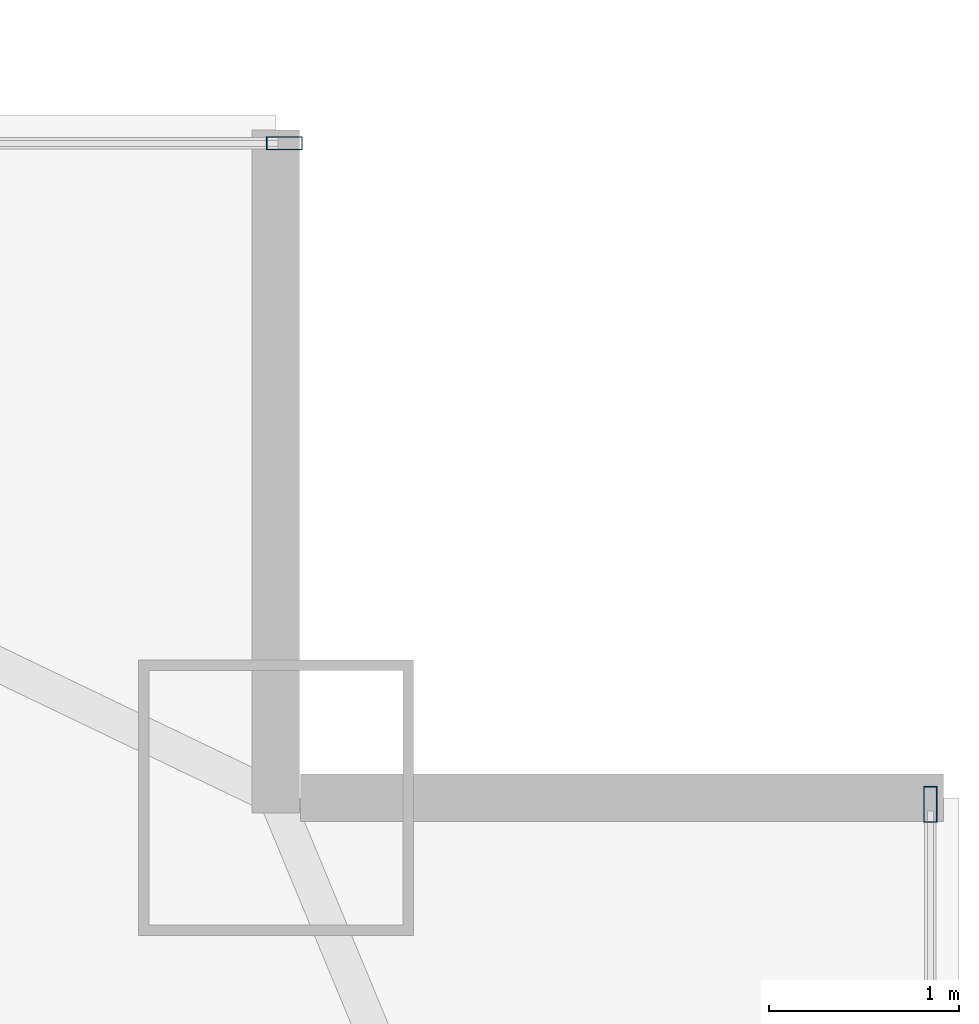
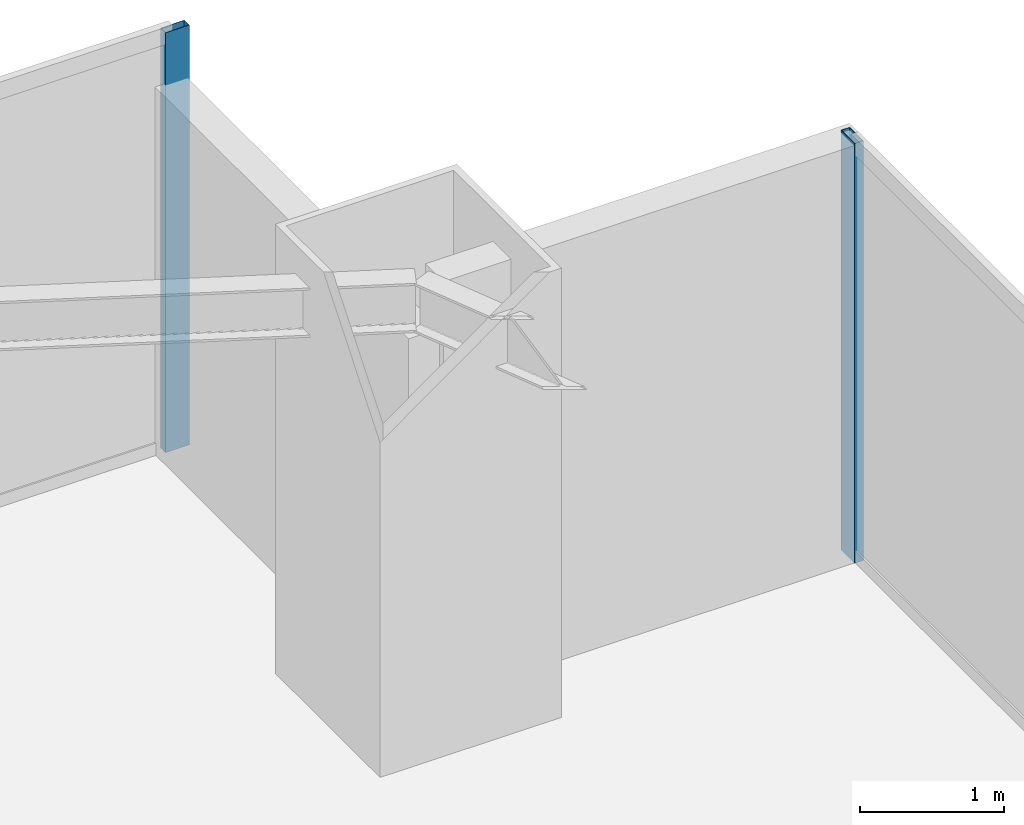
# One storey, part 26 of 34: 2 members, 2 elements without a shape of their own.
"""IFC4 building model written with IfcOpenShell, lengths in metres."""

import ifcopenshell
import ifcopenshell.guid

model = None  # the IFC model being written
_history = None  # IfcOwnerHistory: only IFC2X3 demands one
_inside = {}  # id of a spatial element -> (the spatial element, [elements in it])
_under = {}  # id of a project, library or spatial element -> (it, [spatial elements below it])
_declared = {}  # id of a project -> (the project, [libraries it declares])
_typed = {}  # id of a type object -> (the type object, [elements of that type])
_made_of = {}  # id of a material, layer set ... -> (it, [elements and type objects made of it])


def new_model(schema):
    """Start an empty IFC model of exactly this schema.

    Asked for "IFC4X3", IfcOpenShell would pick the latest addendum, in which some entities
    have other attributes; the version numbers below select the first issue.
    IFC2X3 requires an IfcOwnerHistory on every rooted entity: one is made here for all.
    """
    global model, _history
    if schema == "IFC4X3":
        model = ifcopenshell.file(schema_version=(4, 3, 0, 0))
    else:
        model = ifcopenshell.file(schema=schema)
    _inside.clear()
    _under.clear()
    _declared.clear()
    _typed.clear()
    _made_of.clear()
    _history = None
    if model.schema == "IFC2X3":
        org = make("IfcOrganization", Name="unknown")
        user = make(
            "IfcPersonAndOrganization",
            ThePerson=make("IfcPerson", FamilyName="unknown"),
            TheOrganization=org,
        )
        app = make(
            "IfcApplication",
            ApplicationDeveloper=org,
            Version="unknown",
            ApplicationFullName="unknown",
            ApplicationIdentifier="unknown",
        )
        _history = make(
            "IfcOwnerHistory",
            OwningUser=user,
            OwningApplication=app,
            ChangeAction="ADDED",
            CreationDate=0,
        )
    return model


def make(cls, **values):
    """One entity of the class cls with the attributes given. An attribute that is None is left unset."""
    return model.create_entity(
        cls, **{name: value for name, value in values.items() if value is not None}
    )


def rooted(cls, **values):
    """An entity with a GlobalId (a new one), such as an element, a storey or a relation."""
    return make(cls, GlobalId=ifcopenshell.guid.new(), OwnerHistory=_history, **values)


def si_unit(unit_type, name, prefix=None):
    """IfcSIUnit, for example si_unit("LENGTHUNIT", "METRE", prefix="MILLI")."""
    return make("IfcSIUnit", UnitType=unit_type, Prefix=prefix, Name=name)


def assignment(units):
    """IfcUnitAssignment: the units of a project."""
    return None if units is None else make("IfcUnitAssignment", Units=units)


def point(xyz):
    """IfcCartesianPoint."""
    return None if xyz is None else make("IfcCartesianPoint", Coordinates=xyz)


def direction(xyz):
    """IfcDirection."""
    return None if xyz is None else make("IfcDirection", DirectionRatios=xyz)


def frame(location, z_axis=None, x_axis=None):
    """IfcAxis2Placement3D, a coordinate frame: its origin and axes. An axis left out is left unset."""
    return make(
        "IfcAxis2Placement3D",
        Location=point(location),
        Axis=direction(z_axis),
        RefDirection=direction(x_axis),
    )


def frame_2d(location, x_axis=None):
    """IfcAxis2Placement2D, a coordinate frame in the plane: its origin and x axis."""
    return make(
        "IfcAxis2Placement2D", Location=point(location), RefDirection=direction(x_axis)
    )


def origin():
    """The frame at (0, 0, 0) with its axes left unset."""
    return frame((0.0, 0.0, 0.0))


def origin_2d():
    """The frame at (0, 0) in the plane with its x axis left unset."""
    return frame_2d((0.0, 0.0))


def place(relative_to, where):
    """IfcLocalPlacement: puts the frame where relative to a parent placement (None: the world)."""
    return make(
        "IfcLocalPlacement", PlacementRelTo=relative_to, RelativePlacement=where
    )


def context(
    kind, dimensions, precision=None, world=None, true_north=None, identifier=None
):
    """IfcGeometricRepresentationContext, for example the 3D "Model" context."""
    return make(
        "IfcGeometricRepresentationContext",
        ContextIdentifier=identifier,
        ContextType=kind,
        CoordinateSpaceDimension=dimensions,
        Precision=precision,
        WorldCoordinateSystem=world,
        TrueNorth=true_north,
    )


def subcontext(parent, identifier, kind, view, scale=None):
    """IfcGeometricRepresentationSubContext, for example "Body" below "Model"."""
    return make(
        "IfcGeometricRepresentationSubContext",
        ContextIdentifier=identifier,
        ContextType=kind,
        ParentContext=parent,
        TargetScale=scale,
        TargetView=view,
    )


def project(units=None, contexts=None):
    """IfcProject with its units and contexts."""
    return rooted(
        "IfcProject",
        Name="project",
        RepresentationContexts=contexts,
        UnitsInContext=assignment(units),
    )


def spatial(cls, under=None, at=None, **own):
    """A site, building, storey or space (cls), placed at a placement, below another one or the project."""
    s = rooted(cls, ObjectPlacement=at, **own)
    if under is not None:
        _under.setdefault(under.id(), (under, []))[1].append(s)
    return s


def profile(cls, at=None, kind="AREA", **sizes):
    """A parametric profile (cls). Its sizes go by their IFC names, for example OverallWidth=200.0."""
    return make(cls, ProfileType=kind, Position=at, **sizes)


def hollow_rectangle(**sizes):
    """IfcRectangleHollowProfileDef."""
    return profile("IfcRectangleHollowProfileDef", **sizes)


def extrude(swept, where, along, depth):
    """IfcExtrudedAreaSolid: the profile swept, set in the frame where, extruded along a direction by depth."""
    return make(
        "IfcExtrudedAreaSolid",
        SweptArea=swept,
        Position=where,
        ExtrudedDirection=direction(along),
        Depth=depth,
    )


def shape(context_of_items, identifier, shape_type, items):
    """IfcShapeRepresentation: the items that make up one representation, for example the "Body"."""
    return make(
        "IfcShapeRepresentation",
        ContextOfItems=context_of_items,
        RepresentationIdentifier=identifier,
        RepresentationType=shape_type,
        Items=items,
    )


def source(mapping_origin, context_of_items, identifier, shape_type, items):
    """IfcRepresentationMap: a shape defined once, which mapped items show again and again."""
    return make(
        "IfcRepresentationMap",
        MappingOrigin=mapping_origin,
        MappedRepresentation=shape(context_of_items, identifier, shape_type, items),
    )


def transform(
    local_origin,
    x_axis=None,
    y_axis=None,
    z_axis=None,
    scale=None,
    scale2=None,
    scale3=None,
    uniform=True,
):
    """IfcCartesianTransformationOperator3D, or its non-uniform kind. x_axis, y_axis, z_axis: its Axis1, 2, 3."""
    if uniform:
        return make(
            "IfcCartesianTransformationOperator3D",
            Axis1=direction(x_axis),
            Axis2=direction(y_axis),
            LocalOrigin=point(local_origin),
            Scale=scale,
            Axis3=direction(z_axis),
        )
    return make(
        "IfcCartesianTransformationOperator3DnonUniform",
        Axis1=direction(x_axis),
        Axis2=direction(y_axis),
        LocalOrigin=point(local_origin),
        Scale=scale,
        Axis3=direction(z_axis),
        Scale2=scale2,
        Scale3=scale3,
    )


def mapped(mapping_source, mapping_target):
    """IfcMappedItem: shows the shape of a source again, moved by a transform."""
    return make(
        "IfcMappedItem", MappingSource=mapping_source, MappingTarget=mapping_target
    )


def material(Name=None, Category=None):
    """IfcMaterial."""
    return make("IfcMaterial", Name=Name, Category=Category)


def layer(
    of_material, thickness, ventilated=None, Name=None, Category=None, Priority=None
):
    """IfcMaterialLayer: one layer of a wall or slab, of a material (None: an air gap)."""
    return make(
        "IfcMaterialLayer",
        Material=of_material,
        LayerThickness=thickness,
        IsVentilated=ventilated,
        Name=Name,
        Category=Category,
        Priority=Priority,
    )


def layer_set(layers, Name=None):
    """IfcMaterialLayerSet."""
    return make("IfcMaterialLayerSet", MaterialLayers=layers, LayerSetName=Name)


def material_profile(
    of_material, cross_section, Name=None, Category=None, Priority=None
):
    """IfcMaterialProfile: a cross section and its material."""
    return make(
        "IfcMaterialProfile",
        Name=Name,
        Material=of_material,
        Profile=cross_section,
        Priority=Priority,
        Category=Category,
    )


def profile_set(profiles, Name=None, composite=None):
    """IfcMaterialProfileSet."""
    return make(
        "IfcMaterialProfileSet",
        Name=Name,
        MaterialProfiles=profiles,
        CompositeProfile=composite,
    )


def made_of(thing, what):
    """Note that an element or type object is made of a material, layer set ...; save() writes the relation."""
    if what is not None:
        _made_of.setdefault(what.id(), (what, []))[1].append(thing)
    return thing


def type_object(cls, material=None, **own):
    """A type object (cls), such as IfcWallType, which elements share."""
    return made_of(rooted(cls, **own), material)


def type_shapes(of_type, sources):
    """Give a type object the sources (RepresentationMaps) that its elements show as mapped items."""
    of_type.RepresentationMaps = sources


def element(
    cls,
    number,
    at=None,
    inside=None,
    cuts=None,
    type_object=None,
    material=None,
    context=None,
    identifier="Body",
    shape_type=None,
    held_by="IfcProductDefinitionShape",
    body=None,
    shapes=None,
    **own,
):
    """One element of the class cls, such as IfcWall. Its Tag is "e" and its number.

    at: its placement. inside: the storey or other place that contains it. cuts: it is an
    opening in that element (IfcRelVoidsElement). A single representation is given by context,
    identifier, shape_type and body (its items); several are given by shapes. held_by: the class
    of the entity that holds the representations. save() writes the other relations.
    """
    e = rooted(cls, Tag="e%d" % number, ObjectPlacement=at, **own)
    if body is not None:
        shapes = [shape(context, identifier, shape_type, body)]
    if shapes is not None:
        e.Representation = make(held_by, Representations=shapes)
    if inside is not None:
        _inside.setdefault(inside.id(), (inside, []))[1].append(e)
    if cuts is not None:
        rooted(
            "IfcRelVoidsElement", RelatingBuildingElement=cuts, RelatedOpeningElement=e
        )
    if type_object is not None:
        _typed.setdefault(type_object.id(), (type_object, []))[1].append(e)
    return made_of(e, material)


def aggregate(whole, parts):
    """IfcRelAggregates: a whole, such as a stair, and the parts it consists of."""
    return rooted("IfcRelAggregates", RelatingObject=whole, RelatedObjects=parts)


def save(model, path):
    """Write the relations noted so far, then the file.

    IfcRelAggregates (storeys below a building ...), IfcRelContainedInSpatialStructure (elements
    in a storey), IfcRelDefinesByType, IfcRelAssociatesMaterial and IfcRelDeclares: one each for
    every whole, place, type object, material and project.
    """
    for whole, parts in _under.values():
        aggregate(whole, parts)
    for where, things in _inside.values():
        rooted(
            "IfcRelContainedInSpatialStructure",
            RelatedElements=things,
            RelatingStructure=where,
        )
    for kind, things in _typed.values():
        rooted("IfcRelDefinesByType", RelatedObjects=things, RelatingType=kind)
    for what, things in _made_of.values():
        rooted("IfcRelAssociatesMaterial", RelatedObjects=things, RelatingMaterial=what)
    for by, libraries in _declared.values():
        rooted("IfcRelDeclares", RelatingContext=by, RelatedDefinitions=libraries)
    model.write(path)


model = new_model("IFC4")

# Units and contexts
model_context = context("Model", 3, precision=1e-05, world=origin(), true_north=direction((0.0, 1.0)))
body_context = subcontext(model_context, "Body", "Model", "MODEL_VIEW")
ifc_project = project(units=[si_unit("LENGTHUNIT", "METRE"), si_unit("AREAUNIT", "SQUARE_METRE"), si_unit("VOLUMEUNIT", "CUBIC_METRE"), si_unit("PLANEANGLEUNIT", "RADIAN"), si_unit("MASSUNIT", "GRAM", prefix="KILO")], contexts=[model_context])

# Site, building, storey
site_placement = place(None, origin())
site = spatial("IfcSite", under=ifc_project, at=site_placement, CompositionType="ELEMENT")
building_placement = place(site_placement, origin())
building = spatial("IfcBuilding", under=site, at=building_placement, Name="Varnel Quay Broadcast Tower", CompositionType="ELEMENT")
storey_placement = place(building_placement, frame((0.0, 0.0, 110.60009765625)))
storey = spatial("IfcBuildingStorey", under=building, at=storey_placement, Name="L26", CompositionType="ELEMENT", Elevation=110.60009765625)

# Curtain wall, member
ifc_material = material(Name="Anodised Bronze Aluminium 6063-T6", Category="aluminium")
ifc_layer = layer(ifc_material, 0.18994140625, Name="Anodised Bronze Aluminium 6063-T6")
ifc_layer_set = layer_set([ifc_layer], Name="Anodised Bronze Aluminium 6063-T6")
curtain_wall_type = type_object("IfcCurtainWallType", Name="CW_LowerTower", PredefinedType="NOTDEFINED", material=ifc_layer_set)
curtain_wall_1_placement = place(storey_placement, origin())
curtain_wall_1 = element("IfcCurtainWall", 1, at=curtain_wall_1_placement, inside=storey, type_object=curtain_wall_type, Name="L26 East Unitised Curtain Wall", PredefinedType="NOTDEFINED")
ifc_material_profile = material_profile(ifc_material, hollow_rectangle(XDim=0.070068359375, YDim=0.18994140625, WallThickness=0.00390625, at=origin_2d()), Name="ALU70X190X4")
ifc_profile_set = profile_set([ifc_material_profile], Name="Anodised Bronze Aluminium 6063-T6")
member_type = type_object("IfcMemberType", Name="Mull_CWS-02", PredefinedType="MULLION", material=ifc_profile_set)
shared_shape = source(origin(), body_context, "Body", "SweptSolid", [
    extrude(hollow_rectangle(XDim=0.070068359375, YDim=0.18994140625, WallThickness=0.00390625, at=origin_2d()), origin(), (0.0, 0.0, 1.0), 3.5498046875),
])
type_shapes(member_type, [shared_shape])
member_1_placement = place(storey_placement, frame((63.35009765625, 43.1650390625, 0.0), z_axis=(0.0, 0.0, 1.0), x_axis=(-1.0, 0.0, 0.0)))
member_1 = element("IfcMember", 2, at=member_1_placement, type_object=member_type, Name="CWS-02 mullion 4", PredefinedType="MULLION", context=body_context, shape_type="MappedRepresentation", body=[
    mapped(shared_shape, transform((0.0, 0.0, 0.0), x_axis=(1.0, 0.0, 0.0), y_axis=(0.0, 1.0, 0.0), z_axis=(0.0, 0.0, 1.0), scale=1.0)),
])
aggregate(curtain_wall_1, [member_1])

curtain_wall_2_placement = place(storey_placement, origin())
curtain_wall_2 = element("IfcCurtainWall", 3, at=curtain_wall_2_placement, inside=storey, type_object=curtain_wall_type, Name="L26 NE Wing Curtain Wall", PredefinedType="NOTDEFINED")
member_2_placement = place(storey_placement, frame((59.945068359375, 46.64990234375, 0.0), z_axis=(0.0, 0.0, 1.0), x_axis=(0.0, 1.0, 0.0)))
member_2 = element("IfcMember", 4, at=member_2_placement, type_object=member_type, Name="CWS-02 mullion 2", PredefinedType="MULLION", context=body_context, shape_type="MappedRepresentation", body=[
    mapped(shared_shape, transform((0.0, 0.0, 0.0), x_axis=(1.0, 0.0, 0.0), y_axis=(0.0, 1.0, 0.0), z_axis=(0.0, 0.0, 1.0), scale=1.0)),
])
aggregate(curtain_wall_2, [member_2])

save(model, "model.ifc")
